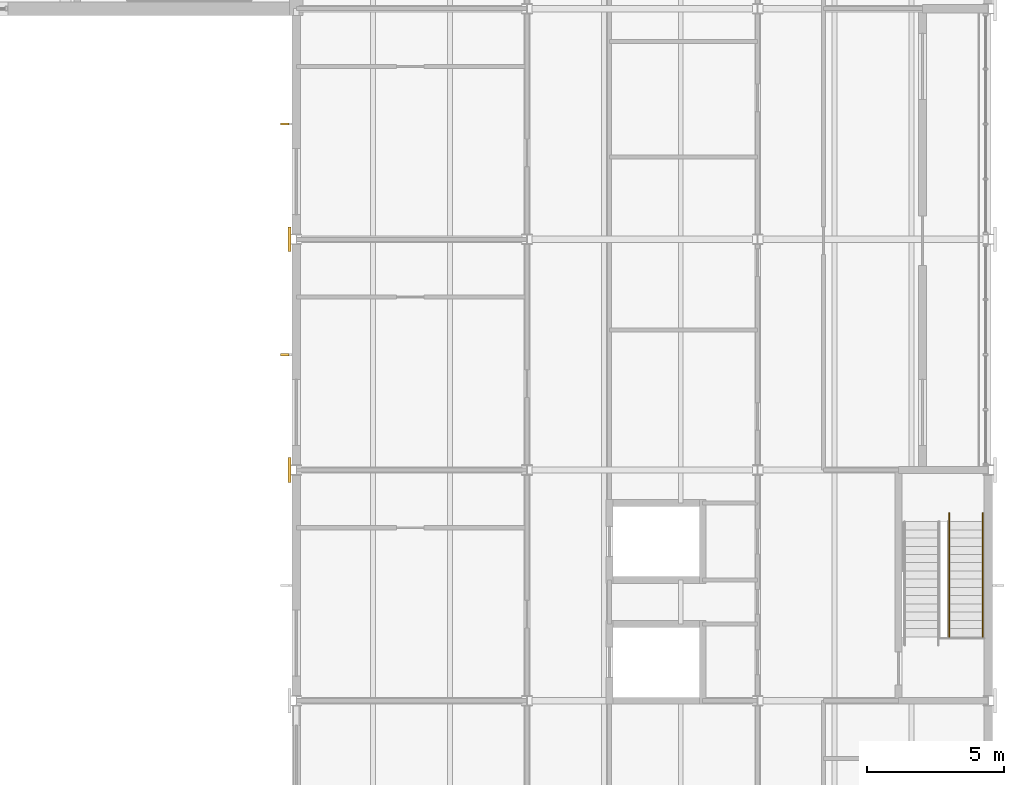
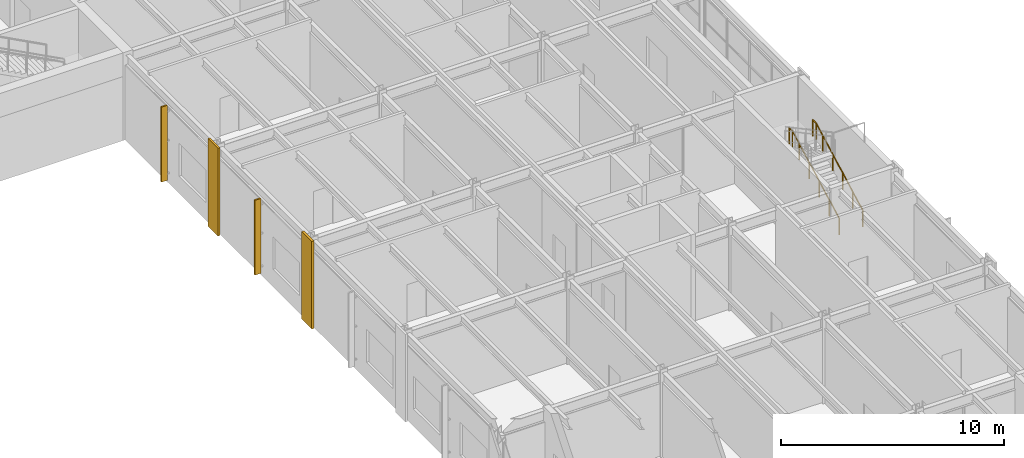
# One storey, part 114 of 127: 2 coverings, 2 railings, 2 shading devices.
"""IFC4 building model written with IfcOpenShell, lengths in metres."""

from ifc_helpers import new_model, si_unit, direction, frame, origin, origin_2d, place, context, subcontext, project, spatial, rectangle, circle, extrude, material, layer, layer_set, type_object, element, save


model = new_model("IFC4")

# Units and contexts
model_context = context("Model", 3, precision=1e-05, world=origin(), true_north=direction((0.0, 1.0)))
body_context = subcontext(model_context, "Body", "Model", "MODEL_VIEW")
ifc_project = project(units=[si_unit("LENGTHUNIT", "METRE"), si_unit("AREAUNIT", "SQUARE_METRE"), si_unit("VOLUMEUNIT", "CUBIC_METRE"), si_unit("PLANEANGLEUNIT", "RADIAN"), si_unit("MASSUNIT", "GRAM", prefix="KILO")], contexts=[model_context])

# Site, building, storey
site_placement = place(None, origin())
site = spatial("IfcSite", under=ifc_project, at=site_placement, CompositionType="ELEMENT")
building_placement = place(site_placement, origin())
building = spatial("IfcBuilding", under=site, at=building_placement, Name="Ljudholm Concert House", CompositionType="ELEMENT")
storey_placement = place(building_placement, frame((0.0, 0.0, 5.39990234375)))
storey = spatial("IfcBuildingStorey", under=building, at=storey_placement, Name="L01", CompositionType="ELEMENT", Elevation=5.39990234375)

# Shading devices
ifc_material_1 = material(Name="Aluminium extrusion with timber-grain PVDF finish", Category="aluminium")
shading_device_type = type_object("IfcShadingDeviceType", Name="FACADE FIN 300x80", PredefinedType="SHUTTER", material=ifc_material_1)
for number, where, z_axis, x_axis, name in (
    (1, (95.97998046875, 41.800048828125, 0.25), (0.0, 0.0, 1.0), (-1.0, 0.0, 0.0), "Facade fin"),
    (2, (95.97998046875, 50.199951171875, 0.25), (0.0, 0.0, 1.0), (-1.0, 0.0, 0.0), "Facade fin"),
):
    element("IfcShadingDevice", number, at=place(storey_placement, frame(where, z_axis=z_axis, x_axis=x_axis)), inside=storey, type_object=shading_device_type, Name=name, PredefinedType="SHUTTER", context=body_context, shape_type="SweptSolid", body=[
        extrude(rectangle(XDim=0.300048828125, YDim=0.080078125, at=origin_2d()), origin(), (0.0, 0.0, 1.0), 4.10009765625),
    ])

# Railings
ifc_material_2 = material(Name="Steel ASTM A36", Category="steel")
railing_type = type_object("IfcRailingType", Name="HANDRAIL 900", PredefinedType="HANDRAIL", material=ifc_material_2)
railing_1_placement = place(storey_placement, frame((120.175048828125, 31.52490234375, 0.16015625)))
element("IfcRailing", 3, at=railing_1_placement, inside=storey, type_object=railing_type, Name="Handrail", PredefinedType="HANDRAIL", context=body_context, shape_type="SweptSolid", body=[
    extrude(circle(Radius=0.0224609375, at=origin_2d()), frame((0.0, 0.0, 0.87744140625), z_axis=(0.0, 0.882392687573, 0.470513703219), x_axis=(-1.0, 0.0, 0.0)), (0.0, 0.0, 1.0), 1.02001953125),
    extrude(circle(Radius=0.0224609375, at=origin_2d()), frame((0.0, 0.900146484375, 1.357421875), z_axis=(0.0, 0.88233968818, 0.47061308382), x_axis=(-1.0, 0.0, 0.0)), (0.0, 0.0, 1.0), 1.02001953125),
    extrude(circle(Radius=0.0224609375, at=origin_2d()), frame((0.0, 1.800048828125, 1.83740234375), z_axis=(0.0, 0.882392687573, 0.470513703219), x_axis=(-1.0, 0.0, 0.0)), (0.0, 0.0, 1.0), 1.02001953125),
    extrude(circle(Radius=0.0224609375, at=origin_2d()), frame((0.0, 2.7001953125, 2.3173828125), z_axis=(0.0, 0.88233968818, 0.47061308382), x_axis=(-1.0, 0.0, 0.0)), (0.0, 0.0, 1.0), 1.02001953125),
    extrude(circle(Radius=0.0224609375, at=origin_2d()), frame((0.0, 3.60009765625, 2.79736328125), z_axis=(0.0, 0.882343004153, 0.470606866739), x_axis=(-1.0, 0.0, 0.0)), (0.0, 0.0, 1.0), 0.68017578125),
    extrude(circle(Radius=0.0224609375, at=origin_2d()), frame((0.0, 4.2001953125, 3.117431640625), z_axis=(0.0, 1.0, 0.0), x_axis=(-1.0, 0.0, 0.0)), (0.0, 0.0, 1.0), 0.2998046875),
    extrude(circle(Radius=0.02099609375, at=origin_2d()), origin(), (0.0, 0.0, 1.0), 0.85498046875),
    extrude(circle(Radius=0.02099609375, at=origin_2d()), frame((0.0, 0.900146484375, 0.47998046875)), (0.0, 0.0, 1.0), 0.85498046875),
    extrude(circle(Radius=0.02099609375, at=origin_2d()), frame((0.0, 1.800048828125, 0.9599609375)), (0.0, 0.0, 1.0), 0.85498046875),
    extrude(circle(Radius=0.02099609375, at=origin_2d()), frame((0.0, 2.7001953125, 1.43994140625)), (0.0, 0.0, 1.0), 0.85498046875),
    extrude(circle(Radius=0.02099609375, at=origin_2d()), frame((0.0, 3.60009765625, 1.919921875)), (0.0, 0.0, 1.0), 0.85498046875),
    extrude(circle(Radius=0.02099609375, at=origin_2d()), frame((0.0, 4.2001953125, 2.239990234375)), (0.0, 0.0, 1.0), 0.85498046875),
    extrude(circle(Radius=0.02099609375, at=origin_2d()), frame((0.0, 4.5, 2.239990234375)), (0.0, 0.0, 1.0), 0.85498046875),
])
railing_2_placement = place(storey_placement, frame((121.39990234375, 31.52490234375, 0.16015625)))
element("IfcRailing", 4, at=railing_2_placement, inside=storey, type_object=railing_type, Name="Handrail", PredefinedType="HANDRAIL", context=body_context, shape_type="SweptSolid", body=[
    extrude(circle(Radius=0.0224609375, at=origin_2d()), frame((0.0, 0.0, 0.87744140625), z_axis=(0.0, 0.882392687573, 0.470513703219), x_axis=(-1.0, 0.0, 0.0)), (0.0, 0.0, 1.0), 1.02001953125),
    extrude(circle(Radius=0.0224609375, at=origin_2d()), frame((0.0, 0.900146484375, 1.357421875), z_axis=(0.0, 0.88233968818, 0.47061308382), x_axis=(-1.0, 0.0, 0.0)), (0.0, 0.0, 1.0), 1.02001953125),
    extrude(circle(Radius=0.0224609375, at=origin_2d()), frame((0.0, 1.800048828125, 1.83740234375), z_axis=(0.0, 0.882392687573, 0.470513703219), x_axis=(-1.0, 0.0, 0.0)), (0.0, 0.0, 1.0), 1.02001953125),
    extrude(circle(Radius=0.0224609375, at=origin_2d()), frame((0.0, 2.7001953125, 2.3173828125), z_axis=(0.0, 0.88233968818, 0.47061308382), x_axis=(-1.0, 0.0, 0.0)), (0.0, 0.0, 1.0), 1.02001953125),
    extrude(circle(Radius=0.0224609375, at=origin_2d()), frame((0.0, 3.60009765625, 2.79736328125), z_axis=(0.0, 0.882343004153, 0.470606866739), x_axis=(-1.0, 0.0, 0.0)), (0.0, 0.0, 1.0), 0.68017578125),
    extrude(circle(Radius=0.0224609375, at=origin_2d()), frame((0.0, 4.2001953125, 3.117431640625), z_axis=(0.0, 1.0, 0.0), x_axis=(-1.0, 0.0, 0.0)), (0.0, 0.0, 1.0), 0.2998046875),
    extrude(circle(Radius=0.02099609375, at=origin_2d()), origin(), (0.0, 0.0, 1.0), 0.85498046875),
    extrude(circle(Radius=0.02099609375, at=origin_2d()), frame((0.0, 0.900146484375, 0.47998046875)), (0.0, 0.0, 1.0), 0.85498046875),
    extrude(circle(Radius=0.02099609375, at=origin_2d()), frame((0.0, 1.800048828125, 0.9599609375)), (0.0, 0.0, 1.0), 0.85498046875),
    extrude(circle(Radius=0.02099609375, at=origin_2d()), frame((0.0, 2.7001953125, 1.43994140625)), (0.0, 0.0, 1.0), 0.85498046875),
    extrude(circle(Radius=0.02099609375, at=origin_2d()), frame((0.0, 3.60009765625, 1.919921875)), (0.0, 0.0, 1.0), 0.85498046875),
    extrude(circle(Radius=0.02099609375, at=origin_2d()), frame((0.0, 4.2001953125, 2.239990234375)), (0.0, 0.0, 1.0), 0.85498046875),
    extrude(circle(Radius=0.02099609375, at=origin_2d()), frame((0.0, 4.5, 2.239990234375)), (0.0, 0.0, 1.0), 0.85498046875),
])

# Coverings
ifc_material_3 = material(Name="Precast concrete, limestone aggregate", Category="masonry")
ifc_layer = layer(ifc_material_3, 0.110107421875)
ifc_layer_set = layer_set([ifc_layer], Name="Precast concrete, limestone aggregate")
covering_type = type_object("IfcCoveringType", Name="PRECAST CONCRETE, LIMESTONE AGGREGATE CLADDING 110", PredefinedType="CLADDING", material=ifc_layer_set)
for number, where, z_axis, x_axis, name in (
    (5, (96.155029296875, 37.60009765625, 0.0), (0.0, 0.0, 1.0), (-1.0, 0.0, 0.0), "Pilaster cladding"),
    (6, (96.155029296875, 46.0, 0.0), (0.0, 0.0, 1.0), (-1.0, 0.0, 0.0), "Pilaster cladding"),
):
    element("IfcCovering", number, at=place(storey_placement, frame(where, z_axis=z_axis, x_axis=x_axis)), inside=storey, type_object=covering_type, Name=name, PredefinedType="CLADDING", context=body_context, shape_type="SweptSolid", body=[
        extrude(rectangle(XDim=0.110107421875, YDim=0.89990234375, at=origin_2d()), origin(), (0.0, 0.0, 1.0), 4.800048828125),
    ])

save(model, "model.ifc")
